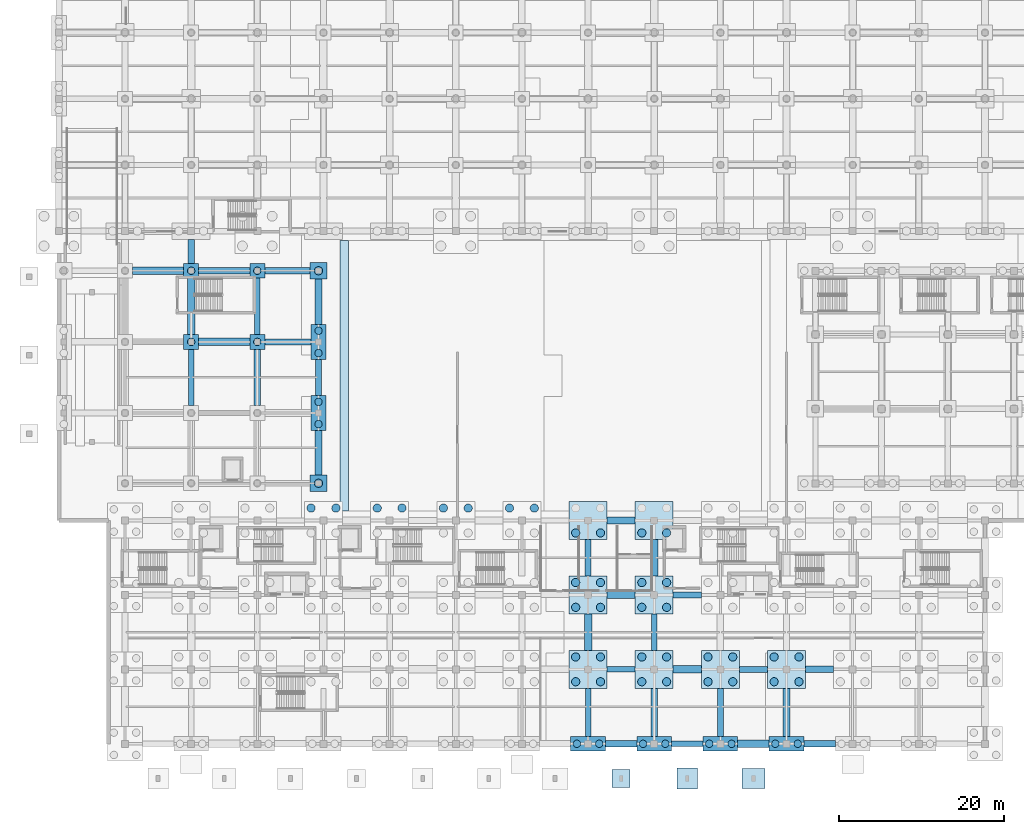
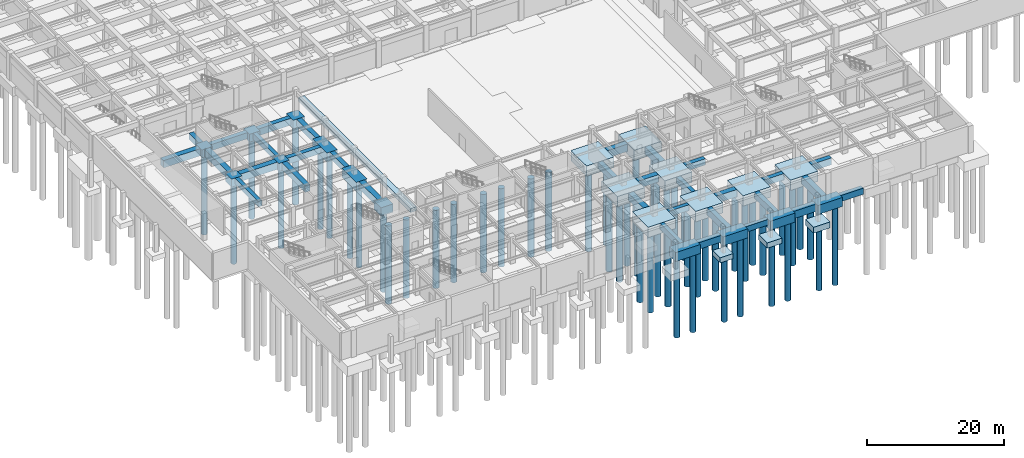
# One storey, part 3 of 48: 56 footings, 54 piles.
"""IFC4 building model written with IfcOpenShell, lengths in metres."""

from ifc_helpers import new_model, si_unit, direction, frame, origin, origin_2d, place, context, subcontext, project, spatial, polyline, rectangle, circle, outline, extrude, material, layer, layer_set, material_profile, profile_set, type_object, element, save


model = new_model("IFC4")

# Units and contexts
model_context = context("Model", 3, precision=1e-05, world=origin(), true_north=direction((0.0, 1.0)))
body_context = subcontext(model_context, "Body", "Model", "MODEL_VIEW")
ifc_project = project(units=[si_unit("LENGTHUNIT", "METRE"), si_unit("AREAUNIT", "SQUARE_METRE"), si_unit("VOLUMEUNIT", "CUBIC_METRE"), si_unit("PLANEANGLEUNIT", "RADIAN"), si_unit("MASSUNIT", "GRAM", prefix="KILO")], contexts=[model_context])

# Site, building, storey
site_placement = place(None, origin())
site = spatial("IfcSite", under=ifc_project, at=site_placement, CompositionType="ELEMENT")
building_placement = place(site_placement, origin())
building = spatial("IfcBuilding", under=site, at=building_placement, Name="Tlacozan Convention Centre", CompositionType="ELEMENT")
storey_placement = place(building_placement, frame((0.0, 0.0, -4.800048828125)))
storey = spatial("IfcBuildingStorey", under=building, at=storey_placement, Name="B01", CompositionType="ELEMENT", Elevation=-4.800048828125)

# Footings
ifc_material = material(Name="Concrete C35/45", Category="concrete")
ifc_layer_1 = layer(ifc_material, 0.699951171875)
ifc_layer_set_1 = layer_set([ifc_layer_1], Name="Concrete C35/45")
footing_type_1 = type_object("IfcFootingType", Name="Courtyard Strip Footing 1000x700", PredefinedType="STRIP_FOOTING", material=ifc_layer_set_1)
footing_1_placement = place(storey_placement, frame((0.0, 0.0, -0.699951171875)))
element("IfcFooting", 1, at=footing_1_placement, inside=storey, type_object=footing_type_1, Name="Strip Footing SF-C3", PredefinedType="STRIP_FOOTING", context=body_context, shape_type="SweptSolid", body=[
    extrude(outline(polyline([(34.0, 28.14990234375), (35.0, 28.14990234375), (35.0, 60.85009765625), (34.0, 60.85009765625), (34.0, 28.14990234375)])), origin(), (0.0, 0.0, 1.0), 0.699951171875),
])
ifc_layer_2 = layer(ifc_material, 1.0)
ifc_layer_set_2 = layer_set([ifc_layer_2], Name="Concrete C35/45")
footing_type_2 = type_object("IfcFootingType", Name="Foundation Tie Beam 650x1000", PredefinedType="FOOTING_BEAM", material=ifc_layer_set_2)
footing_2_placement = place(storey_placement, frame((0.0, 0.0, -1.0)))
element("IfcFooting", 2, at=footing_2_placement, inside=storey, type_object=footing_type_2, Name="Foundation Tie Beam X-9", PredefinedType="FOOTING_BEAM", context=body_context, shape_type="SweptSolid", body=[
    extrude(outline(polyline([(74.10009765625, -0.324951171875), (77.89990234375, -0.324951171875), (77.89990234375, 0.324951171875), (74.10009765625, 0.324951171875), (74.10009765625, -0.324951171875)])), origin(), (0.0, 0.0, 1.0), 1.0),
])
footing_3_placement = place(storey_placement, frame((0.0, 0.0, -1.0)))
element("IfcFooting", 3, at=footing_3_placement, inside=storey, type_object=footing_type_2, Name="Foundation Tie Beam X-21", PredefinedType="FOOTING_BEAM", context=body_context, shape_type="SweptSolid", body=[
    extrude(outline(polyline([(66.300048828125, 8.675048828125), (69.699951171875, 8.675048828125), (69.699951171875, 9.324951171875), (66.300048828125, 9.324951171875), (66.300048828125, 8.675048828125)])), origin(), (0.0, 0.0, 1.0), 1.0),
])
footing_4_placement = place(storey_placement, frame((0.0, 0.0, -1.0)))
element("IfcFooting", 4, at=footing_4_placement, inside=storey, type_object=footing_type_2, Name="Foundation Tie Beam Y-345", PredefinedType="FOOTING_BEAM", context=body_context, shape_type="SweptSolid", body=[
    extrude(outline(polyline([(15.675048828125, 40.89990234375), (16.324951171875, 40.89990234375), (16.324951171875, 47.699951171875), (15.675048828125, 47.699951171875), (15.675048828125, 40.89990234375)])), origin(), (0.0, 0.0, 1.0), 1.0),
])
footing_5_placement = place(storey_placement, frame((0.0, 0.0, -1.0)))
element("IfcFooting", 5, at=footing_5_placement, inside=storey, type_object=footing_type_2, Name="Foundation Tie Beam Y-361", PredefinedType="FOOTING_BEAM", context=body_context, shape_type="SweptSolid", body=[
    extrude(outline(polyline([(23.675048828125, 49.5), (24.324951171875, 49.5), (24.324951171875, 56.300048828125), (23.675048828125, 56.300048828125), (23.675048828125, 49.5)])), origin(), (0.0, 0.0, 1.0), 1.0),
])
footing_6_placement = place(storey_placement, frame((0.0, 0.0, -1.0)))
element("IfcFooting", 6, at=footing_6_placement, inside=storey, type_object=footing_type_2, Name="Foundation Tie Beam Y-417", PredefinedType="FOOTING_BEAM", context=body_context, shape_type="SweptSolid", body=[
    extrude(outline(polyline([(63.675048828125, 0.89990234375), (64.324951171875, 0.89990234375), (64.324951171875, 6.699951171875), (63.675048828125, 6.699951171875), (63.675048828125, 0.89990234375)])), origin(), (0.0, 0.0, 1.0), 1.0),
])
footing_7_placement = place(storey_placement, frame((0.0, 0.0, -1.0)))
element("IfcFooting", 7, at=footing_7_placement, inside=storey, type_object=footing_type_2, Name="Foundation Tie Beam Y-429", PredefinedType="FOOTING_BEAM", context=body_context, shape_type="SweptSolid", body=[
    extrude(outline(polyline([(71.675048828125, 11.300048828125), (72.324951171875, 11.300048828125), (72.324951171875, 15.699951171875), (71.675048828125, 15.699951171875), (71.675048828125, 11.300048828125)])), origin(), (0.0, 0.0, 1.0), 1.0),
])
ifc_layer_3 = layer(ifc_material, 1.10009765625)
ifc_layer_set_3 = layer_set([ifc_layer_3], Name="Concrete C35/45")
footing_type_3 = type_object("IfcFootingType", Name="Foundation Tie Beam 750x1100", PredefinedType="FOOTING_BEAM", material=ifc_layer_set_3)
footing_8_placement = place(storey_placement, frame((0.0, 0.0, -1.099853515625)))
element("IfcFooting", 8, at=footing_8_placement, inside=storey, type_object=footing_type_3, Name="Foundation Tie Beam X-11", PredefinedType="FOOTING_BEAM", context=body_context, shape_type="SweptSolid", body=[
    extrude(outline(polyline([(90.10009765625, -0.375), (93.89990234375, -0.375), (93.89990234375, 0.375), (90.10009765625, 0.375), (90.10009765625, -0.375)])), origin(), (0.0, 0.0, 1.0), 1.099853515625),
])
footing_9_placement = place(storey_placement, frame((0.0, 0.0, -1.099853515625)))
element("IfcFooting", 9, at=footing_9_placement, inside=storey, type_object=footing_type_3, Name="Foundation Tie Beam X-23", PredefinedType="FOOTING_BEAM", context=body_context, shape_type="SweptSolid", body=[
    extrude(outline(polyline([(82.300048828125, 8.625), (85.699951171875, 8.625), (85.699951171875, 9.375), (82.300048828125, 9.375), (82.300048828125, 8.625)])), origin(), (0.0, 0.0, 1.0), 1.099853515625),
])
footing_10_placement = place(storey_placement, frame((0.0, 0.0, -1.099853515625)))
element("IfcFooting", 10, at=footing_10_placement, inside=storey, type_object=footing_type_3, Name="Foundation Tie Beam X-35", PredefinedType="FOOTING_BEAM", context=body_context, shape_type="SweptSolid", body=[
    extrude(outline(polyline([(74.300048828125, 17.625), (77.699951171875, 17.625), (77.699951171875, 18.375), (74.300048828125, 18.375), (74.300048828125, 17.625)])), origin(), (0.0, 0.0, 1.0), 1.099853515625),
])
footing_11_placement = place(storey_placement, frame((0.0, 0.0, -1.099853515625)))
element("IfcFooting", 11, at=footing_11_placement, inside=storey, type_object=footing_type_3, Name="Foundation Tie Beam X-103", PredefinedType="FOOTING_BEAM", context=body_context, shape_type="SweptSolid", body=[
    extrude(outline(polyline([(24.89990234375, 48.22509765625), (30.5, 48.22509765625), (30.5, 48.97509765625), (24.89990234375, 48.97509765625), (24.89990234375, 48.22509765625)])), origin(), (0.0, 0.0, 1.0), 1.099853515625),
])
footing_12_placement = place(storey_placement, frame((0.0, 0.0, -1.099853515625)))
element("IfcFooting", 12, at=footing_12_placement, inside=storey, type_object=footing_type_3, Name="Foundation Tie Beam X-119", PredefinedType="FOOTING_BEAM", context=body_context, shape_type="SweptSolid", body=[
    extrude(outline(polyline([(16.89990234375, 56.824951171875), (23.10009765625, 56.824951171875), (23.10009765625, 57.574951171875), (16.89990234375, 57.574951171875), (16.89990234375, 56.824951171875)])), origin(), (0.0, 0.0, 1.0), 1.099853515625),
])
footing_13_placement = place(storey_placement, frame((0.0, 0.0, -1.099853515625)))
element("IfcFooting", 13, at=footing_13_placement, inside=storey, type_object=footing_type_3, Name="Foundation Tie Beam Y-347", PredefinedType="FOOTING_BEAM", context=body_context, shape_type="SweptSolid", body=[
    extrude(outline(polyline([(15.625, 58.10009765625), (16.375, 58.10009765625), (16.375, 61.0), (15.625, 61.0), (15.625, 58.10009765625)])), origin(), (0.0, 0.0, 1.0), 1.099853515625),
])
footing_14_placement = place(storey_placement, frame((0.0, 0.0, -1.099853515625)))
element("IfcFooting", 14, at=footing_14_placement, inside=storey, type_object=footing_type_3, Name="Foundation Tie Beam Y-371", PredefinedType="FOOTING_BEAM", context=body_context, shape_type="SweptSolid", body=[
    extrude(outline(polyline([(31.02490234375, 42.10009765625), (31.77490234375, 42.10009765625), (31.77490234375, 46.5), (31.02490234375, 46.5), (31.02490234375, 42.10009765625)])), origin(), (0.0, 0.0, 1.0), 1.099853515625),
])
footing_15_placement = place(storey_placement, frame((0.0, 0.0, -1.099853515625)))
element("IfcFooting", 15, at=footing_15_placement, inside=storey, type_object=footing_type_3, Name="Foundation Tie Beam Y-419", PredefinedType="FOOTING_BEAM", context=body_context, shape_type="SweptSolid", body=[
    extrude(outline(polyline([(63.625, 20.300048828125), (64.375, 20.300048828125), (64.375, 24.699951171875), (63.625, 24.699951171875), (63.625, 20.300048828125)])), origin(), (0.0, 0.0, 1.0), 1.099853515625),
])
footing_16_placement = place(storey_placement, frame((0.0, 0.0, -1.099853515625)))
element("IfcFooting", 16, at=footing_16_placement, inside=storey, type_object=footing_type_3, Name="Foundation Tie Beam Y-439", PredefinedType="FOOTING_BEAM", context=body_context, shape_type="SweptSolid", body=[
    extrude(outline(polyline([(79.625, 0.89990234375), (80.375, 0.89990234375), (80.375, 6.699951171875), (79.625, 6.699951171875), (79.625, 0.89990234375)])), origin(), (0.0, 0.0, 1.0), 1.099853515625),
])
ifc_layer_4 = layer(ifc_material, 1.199951171875)
ifc_layer_set_4 = layer_set([ifc_layer_4], Name="Concrete C35/45")
footing_type_4 = type_object("IfcFootingType", Name="Foundation Tie Beam 800x1200", PredefinedType="FOOTING_BEAM", material=ifc_layer_set_4)
footing_17_placement = place(storey_placement, frame((0.0, 0.0, -1.199951171875)))
element("IfcFooting", 17, at=footing_17_placement, inside=storey, type_object=footing_type_4, Name="Foundation Tie Beam X-8", PredefinedType="FOOTING_BEAM", context=body_context, shape_type="SweptSolid", body=[
    extrude(outline(polyline([(66.10009765625, -0.39990234375), (69.89990234375, -0.39990234375), (69.89990234375, 0.39990234375), (66.10009765625, 0.39990234375), (66.10009765625, -0.39990234375)])), origin(), (0.0, 0.0, 1.0), 1.199951171875),
])
footing_18_placement = place(storey_placement, frame((0.0, 0.0, -1.199951171875)))
element("IfcFooting", 18, at=footing_18_placement, inside=storey, type_object=footing_type_4, Name="Foundation Tie Beam X-24", PredefinedType="FOOTING_BEAM", context=body_context, shape_type="SweptSolid", body=[
    extrude(outline(polyline([(90.300048828125, 8.60009765625), (93.699951171875, 8.60009765625), (93.699951171875, 9.39990234375), (90.300048828125, 9.39990234375), (90.300048828125, 8.60009765625)])), origin(), (0.0, 0.0, 1.0), 1.199951171875),
])
footing_19_placement = place(storey_placement, frame((0.0, 0.0, -1.199951171875)))
element("IfcFooting", 19, at=footing_19_placement, inside=storey, type_object=footing_type_4, Name="Foundation Tie Beam X-120", PredefinedType="FOOTING_BEAM", context=body_context, shape_type="SweptSolid", body=[
    extrude(outline(polyline([(24.89990234375, 56.800048828125), (30.39990234375, 56.800048828125), (30.39990234375, 57.60009765625), (24.89990234375, 57.60009765625), (24.89990234375, 56.800048828125)])), origin(), (0.0, 0.0, 1.0), 1.199951171875),
])
footing_20_placement = place(storey_placement, frame((0.0, 0.0, -1.199951171875)))
element("IfcFooting", 20, at=footing_20_placement, inside=storey, type_object=footing_type_4, Name="Foundation Tie Beam Y-360", PredefinedType="FOOTING_BEAM", context=body_context, shape_type="SweptSolid", body=[
    extrude(outline(polyline([(23.60009765625, 40.89990234375), (24.39990234375, 40.89990234375), (24.39990234375, 47.699951171875), (23.60009765625, 47.699951171875), (23.60009765625, 40.89990234375)])), origin(), (0.0, 0.0, 1.0), 1.199951171875),
])
footing_21_placement = place(storey_placement, frame((0.0, 0.0, -1.199951171875)))
element("IfcFooting", 21, at=footing_21_placement, inside=storey, type_object=footing_type_4, Name="Foundation Tie Beam Y-372", PredefinedType="FOOTING_BEAM", context=body_context, shape_type="SweptSolid", body=[
    extrude(outline(polyline([(31.0, 50.699951171875), (31.800048828125, 50.699951171875), (31.800048828125, 56.199951171875), (31.0, 56.199951171875), (31.0, 50.699951171875)])), origin(), (0.0, 0.0, 1.0), 1.199951171875),
])
footing_22_placement = place(storey_placement, frame((0.0, 0.0, -1.199951171875)))
element("IfcFooting", 22, at=footing_22_placement, inside=storey, type_object=footing_type_4, Name="Foundation Tie Beam Y-428", PredefinedType="FOOTING_BEAM", context=body_context, shape_type="SweptSolid", body=[
    extrude(outline(polyline([(71.60009765625, 0.89990234375), (72.39990234375, 0.89990234375), (72.39990234375, 6.699951171875), (71.60009765625, 6.699951171875), (71.60009765625, 0.89990234375)])), origin(), (0.0, 0.0, 1.0), 1.199951171875),
])
ifc_layer_5 = layer(ifc_material, 1.300048828125)
ifc_layer_set_5 = layer_set([ifc_layer_5], Name="Concrete C35/45")
footing_type_5 = type_object("IfcFootingType", Name="Foundation Tie Beam 900x1300", PredefinedType="FOOTING_BEAM", material=ifc_layer_set_5)
footing_23_placement = place(storey_placement, frame((0.0, 0.0, -1.300048828125)))
element("IfcFooting", 23, at=footing_23_placement, inside=storey, type_object=footing_type_5, Name="Foundation Tie Beam X-10", PredefinedType="FOOTING_BEAM", context=body_context, shape_type="SweptSolid", body=[
    extrude(outline(polyline([(82.10009765625, -0.449951171875), (85.89990234375, -0.449951171875), (85.89990234375, 0.449951171875), (82.10009765625, 0.449951171875), (82.10009765625, -0.449951171875)])), origin(), (0.0, 0.0, 1.0), 1.300048828125),
])
footing_24_placement = place(storey_placement, frame((0.0, 0.0, -1.300048828125)))
element("IfcFooting", 24, at=footing_24_placement, inside=storey, type_object=footing_type_5, Name="Foundation Tie Beam X-22", PredefinedType="FOOTING_BEAM", context=body_context, shape_type="SweptSolid", body=[
    extrude(outline(polyline([(74.300048828125, 8.550048828125), (77.699951171875, 8.550048828125), (77.699951171875, 9.449951171875), (74.300048828125, 9.449951171875), (74.300048828125, 8.550048828125)])), origin(), (0.0, 0.0, 1.0), 1.300048828125),
])
footing_25_placement = place(storey_placement, frame((0.0, 0.0, -1.300048828125)))
element("IfcFooting", 25, at=footing_25_placement, inside=storey, type_object=footing_type_5, Name="Foundation Tie Beam X-34", PredefinedType="FOOTING_BEAM", context=body_context, shape_type="SweptSolid", body=[
    extrude(outline(polyline([(66.300048828125, 17.550048828125), (69.699951171875, 17.550048828125), (69.699951171875, 18.449951171875), (66.300048828125, 18.449951171875), (66.300048828125, 17.550048828125)])), origin(), (0.0, 0.0, 1.0), 1.300048828125),
])
footing_26_placement = place(storey_placement, frame((0.0, 0.0, -1.300048828125)))
element("IfcFooting", 26, at=footing_26_placement, inside=storey, type_object=footing_type_5, Name="Foundation Tie Beam X-54", PredefinedType="FOOTING_BEAM", context=body_context, shape_type="SweptSolid", body=[
    extrude(outline(polyline([(66.300048828125, 26.550048828125), (69.699951171875, 26.550048828125), (69.699951171875, 27.449951171875), (66.300048828125, 27.449951171875), (66.300048828125, 26.550048828125)])), origin(), (0.0, 0.0, 1.0), 1.300048828125),
])
footing_27_placement = place(storey_placement, frame((0.0, 0.0, -1.300048828125)))
element("IfcFooting", 27, at=footing_27_placement, inside=storey, type_object=footing_type_5, Name="Foundation Tie Beam X-102", PredefinedType="FOOTING_BEAM", context=body_context, shape_type="SweptSolid", body=[
    extrude(outline(polyline([(16.89990234375, 48.14990234375), (23.10009765625, 48.14990234375), (23.10009765625, 49.050048828125), (16.89990234375, 49.050048828125), (16.89990234375, 48.14990234375)])), origin(), (0.0, 0.0, 1.0), 1.300048828125),
])
footing_28_placement = place(storey_placement, frame((0.0, 0.0, -1.300048828125)))
element("IfcFooting", 28, at=footing_28_placement, inside=storey, type_object=footing_type_5, Name="Foundation Tie Beam X-118", PredefinedType="FOOTING_BEAM", context=body_context, shape_type="SweptSolid", body=[
    extrude(outline(polyline([(8.89990234375, 56.75), (15.10009765625, 56.75), (15.10009765625, 57.64990234375), (8.89990234375, 57.64990234375), (8.89990234375, 56.75)])), origin(), (0.0, 0.0, 1.0), 1.300048828125),
])
footing_29_placement = place(storey_placement, frame((0.0, 0.0, -1.300048828125)))
element("IfcFooting", 29, at=footing_29_placement, inside=storey, type_object=footing_type_5, Name="Foundation Tie Beam Y-346", PredefinedType="FOOTING_BEAM", context=body_context, shape_type="SweptSolid", body=[
    extrude(outline(polyline([(15.550048828125, 49.5), (16.449951171875, 49.5), (16.449951171875, 56.300048828125), (15.550048828125, 56.300048828125), (15.550048828125, 49.5)])), origin(), (0.0, 0.0, 1.0), 1.300048828125),
])
footing_30_placement = place(storey_placement, frame((0.0, 0.0, -1.300048828125)))
element("IfcFooting", 30, at=footing_30_placement, inside=storey, type_object=footing_type_5, Name="Foundation Tie Beam Y-370", PredefinedType="FOOTING_BEAM", context=body_context, shape_type="SweptSolid", body=[
    extrude(outline(polyline([(30.949951171875, 32.5), (31.85009765625, 32.5), (31.85009765625, 37.89990234375), (30.949951171875, 37.89990234375), (30.949951171875, 32.5)])), origin(), (0.0, 0.0, 1.0), 1.300048828125),
])
footing_31_placement = place(storey_placement, frame((0.0, 0.0, -1.300048828125)))
element("IfcFooting", 31, at=footing_31_placement, inside=storey, type_object=footing_type_5, Name="Foundation Tie Beam Y-418", PredefinedType="FOOTING_BEAM", context=body_context, shape_type="SweptSolid", body=[
    extrude(outline(polyline([(63.550048828125, 11.300048828125), (64.449951171875, 11.300048828125), (64.449951171875, 15.699951171875), (63.550048828125, 15.699951171875), (63.550048828125, 11.300048828125)])), origin(), (0.0, 0.0, 1.0), 1.300048828125),
])
footing_32_placement = place(storey_placement, frame((0.0, 0.0, -1.300048828125)))
element("IfcFooting", 32, at=footing_32_placement, inside=storey, type_object=footing_type_5, Name="Foundation Tie Beam Y-430", PredefinedType="FOOTING_BEAM", context=body_context, shape_type="SweptSolid", body=[
    extrude(outline(polyline([(71.550048828125, 20.300048828125), (72.449951171875, 20.300048828125), (72.449951171875, 24.699951171875), (71.550048828125, 24.699951171875), (71.550048828125, 20.300048828125)])), origin(), (0.0, 0.0, 1.0), 1.300048828125),
])
footing_33_placement = place(storey_placement, frame((0.0, 0.0, -1.300048828125)))
element("IfcFooting", 33, at=footing_33_placement, inside=storey, type_object=footing_type_5, Name="Foundation Tie Beam Y-450", PredefinedType="FOOTING_BEAM", context=body_context, shape_type="SweptSolid", body=[
    extrude(outline(polyline([(87.550048828125, 0.89990234375), (88.449951171875, 0.89990234375), (88.449951171875, 6.699951171875), (87.550048828125, 6.699951171875), (87.550048828125, 0.89990234375)])), origin(), (0.0, 0.0, 1.0), 1.300048828125),
])
ifc_layer_6 = layer(ifc_material, 0.89990234375)
ifc_layer_set_6 = layer_set([ifc_layer_6], Name="Concrete C35/45")
footing_type_6 = type_object("IfcFootingType", Name="Pad Footing 2200x2200x900", PredefinedType="PAD_FOOTING", material=ifc_layer_set_6)
footing_34_placement = place(storey_placement, frame((68.0, -4.199951171875, -0.89990234375), z_axis=(0.0, 0.0, 1.0), x_axis=(1.0, 0.0, 0.0)))
element("IfcFooting", 34, at=footing_34_placement, inside=storey, type_object=footing_type_6, Name="Promenade Pier Pad Footing 8", PredefinedType="PAD_FOOTING", context=body_context, shape_type="SweptSolid", body=[
    extrude(rectangle(XDim=2.199951171875, YDim=2.199951171875, at=origin_2d()), origin(), (0.0, 0.0, 1.0), 0.89990234375),
])
ifc_layer_7 = layer(ifc_material, 0.949951171875)
ifc_layer_set_7 = layer_set([ifc_layer_7], Name="Concrete C35/45")
footing_type_7 = type_object("IfcFootingType", Name="Pad Footing 2500x2500x950", PredefinedType="PAD_FOOTING", material=ifc_layer_set_7)
footing_35_placement = place(storey_placement, frame((76.0, -4.199951171875, -0.94970703125), z_axis=(0.0, 0.0, 1.0), x_axis=(1.0, 0.0, 0.0)))
element("IfcFooting", 35, at=footing_35_placement, inside=storey, type_object=footing_type_7, Name="Promenade Pier Pad Footing 9", PredefinedType="PAD_FOOTING", context=body_context, shape_type="SweptSolid", body=[
    extrude(rectangle(XDim=2.5, YDim=2.5, at=origin_2d()), origin(), (0.0, 0.0, 1.0), 0.949951171875),
])
ifc_layer_8 = layer(ifc_material, 1.050048828125)
ifc_layer_set_8 = layer_set([ifc_layer_8], Name="Concrete C35/45")
footing_type_8 = type_object("IfcFootingType", Name="Pad Footing 2800x2400x1050", PredefinedType="PAD_FOOTING", material=ifc_layer_set_8)
footing_36_placement = place(storey_placement, frame((84.0, -4.199951171875, -1.0498046875), z_axis=(0.0, 0.0, 1.0), x_axis=(1.0, 0.0, 0.0)))
element("IfcFooting", 36, at=footing_36_placement, inside=storey, type_object=footing_type_8, Name="Promenade Pier Pad Footing 10", PredefinedType="PAD_FOOTING", context=body_context, shape_type="SweptSolid", body=[
    extrude(rectangle(XDim=2.800048828125, YDim=2.39990234375, at=origin_2d()), origin(), (0.0, 0.0, 1.0), 1.050048828125),
])
ifc_layer_9 = layer(ifc_material, 1.39990234375)
ifc_layer_set_9 = layer_set([ifc_layer_9], Name="Concrete C35/45")
footing_type_9 = type_object("IfcFootingType", Name="Pile Cap 1P 1800x1800x1400", PredefinedType="PILE_CAP", material=ifc_layer_set_9)
for number, where, z_axis, x_axis, name in (
    (37, (16.0, 48.60009765625, -1.39990234375), (0.0, 0.0, 1.0), (1.0, 0.0, 0.0), "Pile Cap PC-01 (36)"),
    (38, (16.0, 57.199951171875, -1.39990234375), (0.0, 0.0, 1.0), (1.0, 0.0, 0.0), "Pile Cap PC-01 (37)"),
    (39, (24.0, 48.60009765625, -1.39990234375), (0.0, 0.0, 1.0), (1.0, 0.0, 0.0), "Pile Cap PC-01 (53)"),
    (40, (24.0, 57.199951171875, -1.39990234375), (0.0, 0.0, 1.0), (1.0, 0.0, 0.0), "Pile Cap PC-01 (54)"),
):
    element("IfcFooting", number, at=place(storey_placement, frame(where, z_axis=z_axis, x_axis=x_axis)), inside=storey, type_object=footing_type_9, Name=name, PredefinedType="PILE_CAP", context=body_context, shape_type="SweptSolid", body=[
        extrude(rectangle(XDim=1.800048828125, YDim=1.800048828125, at=origin_2d()), origin(), (0.0, 0.0, 1.0), 1.39990234375),
    ])
ifc_layer_10 = layer(ifc_material, 1.5)
ifc_layer_set_10 = layer_set([ifc_layer_10], Name="Concrete C35/45")
footing_type_10 = type_object("IfcFootingType", Name="Pile Cap 1P 2000x2000x1500", PredefinedType="PILE_CAP", material=ifc_layer_set_10)
for number, where, z_axis, x_axis, name in (
    (41, (31.39990234375, 31.5, -1.5), (0.0, 0.0, 1.0), (1.0, 0.0, 0.0), "Pile Cap PC-02 (64)"),
    (42, (31.39990234375, 57.199951171875, -1.5), (0.0, 0.0, 1.0), (1.0, 0.0, 0.0), "Pile Cap PC-02 (67)"),
):
    element("IfcFooting", number, at=place(storey_placement, frame(where, z_axis=z_axis, x_axis=x_axis)), inside=storey, type_object=footing_type_10, Name=name, PredefinedType="PILE_CAP", context=body_context, shape_type="SweptSolid", body=[
        extrude(rectangle(XDim=2.0, YDim=2.0, at=origin_2d()), origin(), (0.0, 0.0, 1.0), 1.5),
    ])
ifc_layer_11 = layer(ifc_material, 1.60009765625)
ifc_layer_set_11 = layer_set([ifc_layer_11], Name="Concrete C35/45")
footing_type_11 = type_object("IfcFootingType", Name="Pile Cap 2P 1800x4200x1600", PredefinedType="PILE_CAP", material=ifc_layer_set_11)
for number, where, z_axis, x_axis, name in (
    (43, (31.39990234375, 40.0, -1.60009765625), (0.0, 0.0, 1.0), (1.0, 0.0, 0.0), "Pile Cap PC-04 (65)"),
    (44, (31.39990234375, 48.60009765625, -1.60009765625), (0.0, 0.0, 1.0), (1.0, 0.0, 0.0), "Pile Cap PC-04 (66)"),
):
    element("IfcFooting", number, at=place(storey_placement, frame(where, z_axis=z_axis, x_axis=x_axis)), inside=storey, type_object=footing_type_11, Name=name, PredefinedType="PILE_CAP", context=body_context, shape_type="SweptSolid", body=[
        extrude(rectangle(XDim=1.800048828125, YDim=4.199951171875, at=origin_2d()), origin(), (0.0, 0.0, 1.0), 1.60009765625),
    ])
ifc_layer_12 = layer(ifc_material, 1.60009765625)
ifc_layer_set_12 = layer_set([ifc_layer_12], Name="Concrete C35/45")
footing_type_12 = type_object("IfcFootingType", Name="Pile Cap 2P 4200x1800x1600", PredefinedType="PILE_CAP", material=ifc_layer_set_12)
for number, where, z_axis, x_axis, name in (
    (45, (64.0, 0.0, -1.60009765625), (0.0, 0.0, 1.0), (1.0, 0.0, 0.0), "Pile Cap PC-03 (120)"),
    (46, (72.0, 0.0, -1.60009765625), (0.0, 0.0, 1.0), (1.0, 0.0, 0.0), "Pile Cap PC-03 (133)"),
    (47, (80.0, 0.0, -1.60009765625), (0.0, 0.0, 1.0), (1.0, 0.0, 0.0), "Pile Cap PC-03 (146)"),
    (48, (88.0, 0.0, -1.60009765625), (0.0, 0.0, 1.0), (1.0, 0.0, 0.0), "Pile Cap PC-03 (159)"),
):
    element("IfcFooting", number, at=place(storey_placement, frame(where, z_axis=z_axis, x_axis=x_axis)), inside=storey, type_object=footing_type_12, Name=name, PredefinedType="PILE_CAP", context=body_context, shape_type="SweptSolid", body=[
        extrude(rectangle(XDim=4.199951171875, YDim=1.800048828125, at=origin_2d()), origin(), (0.0, 0.0, 1.0), 1.60009765625),
    ])
ifc_layer_13 = layer(ifc_material, 1.85009765625)
ifc_layer_set_13 = layer_set([ifc_layer_13], Name="Concrete C35/45")
footing_type_13 = type_object("IfcFootingType", Name="Pile Cap 4P 4600x4600x1850", PredefinedType="PILE_CAP", material=ifc_layer_set_13)
for number, where, z_axis, x_axis, name in (
    (49, (64.0, 9.0, -1.85009765625), (0.0, 0.0, 1.0), (1.0, 0.0, 0.0), "Pile Cap PC-07 (121)"),
    (50, (64.0, 18.0, -1.85009765625), (0.0, 0.0, 1.0), (1.0, 0.0, 0.0), "Pile Cap PC-07 (122)"),
    (51, (64.0, 27.0, -1.85009765625), (0.0, 0.0, 1.0), (1.0, 0.0, 0.0), "Pile Cap PC-07 (123)"),
    (52, (72.0, 9.0, -1.85009765625), (0.0, 0.0, 1.0), (1.0, 0.0, 0.0), "Pile Cap PC-07 (134)"),
    (53, (72.0, 18.0, -1.85009765625), (0.0, 0.0, 1.0), (1.0, 0.0, 0.0), "Pile Cap PC-07 (135)"),
    (54, (72.0, 27.0, -1.85009765625), (0.0, 0.0, 1.0), (1.0, 0.0, 0.0), "Pile Cap PC-07 (136)"),
    (55, (80.0, 9.0, -1.85009765625), (0.0, 0.0, 1.0), (1.0, 0.0, 0.0), "Pile Cap PC-07 (147)"),
    (56, (88.0, 9.0, -1.85009765625), (0.0, 0.0, 1.0), (1.0, 0.0, 0.0), "Pile Cap PC-07 (160)"),
):
    element("IfcFooting", number, at=place(storey_placement, frame(where, z_axis=z_axis, x_axis=x_axis)), inside=storey, type_object=footing_type_13, Name=name, PredefinedType="PILE_CAP", context=body_context, shape_type="SweptSolid", body=[
        extrude(rectangle(XDim=4.60009765625, YDim=4.60009765625, at=origin_2d()), origin(), (0.0, 0.0, 1.0), 1.85009765625),
    ])

# Piles
ifc_material_profile_1 = material_profile(ifc_material, circle(Radius=0.5, at=origin_2d()), Name="PILE D1000")
ifc_profile_set_1 = profile_set([ifc_material_profile_1], Name="Concrete C35/45")
pile_type_1 = type_object("IfcPileType", Name="Pile D1000 Bored", PredefinedType="BORED", material=ifc_profile_set_1)
for number, where, z_axis, x_axis, name in (
    (57, (31.39990234375, 31.5, -1.3798828125), (0.0, 0.0, -1.0), (1.0, 0.0, 0.0), "Bored Pile 121"),
    (58, (31.39990234375, 57.199951171875, -1.3798828125), (0.0, 0.0, -1.0), (1.0, 0.0, 0.0), "Bored Pile 126"),
):
    element("IfcPile", number, at=place(storey_placement, frame(where, z_axis=z_axis, x_axis=x_axis)), inside=storey, type_object=pile_type_1, Name=name, PredefinedType="BORED", context=body_context, shape_type="SweptSolid", body=[
        extrude(circle(Radius=0.5, at=origin_2d()), origin(), (0.0, 0.0, 1.0), 14.320068359375),
    ])
for number, where, z_axis, x_axis, name in (
    (59, (30.5, 28.5, -1.72998046875), (0.0, 0.0, -1.0), (1.0, 0.0, 0.0), "Bored Pile 139"),
    (60, (33.5, 28.5, -1.72998046875), (0.0, 0.0, -1.0), (1.0, 0.0, 0.0), "Bored Pile 140"),
    (61, (38.5, 28.5, -1.72998046875), (0.0, 0.0, -1.0), (1.0, 0.0, 0.0), "Bored Pile 164"),
    (62, (41.5, 28.5, -1.72998046875), (0.0, 0.0, -1.0), (1.0, 0.0, 0.0), "Bored Pile 165"),
    (63, (46.5, 28.5, -1.72998046875), (0.0, 0.0, -1.0), (1.0, 0.0, 0.0), "Bored Pile 189"),
    (64, (49.5, 28.5, -1.72998046875), (0.0, 0.0, -1.0), (1.0, 0.0, 0.0), "Bored Pile 190"),
    (65, (54.5, 28.5, -1.72998046875), (0.0, 0.0, -1.0), (1.0, 0.0, 0.0), "Bored Pile 218"),
    (66, (57.5, 28.5, -1.72998046875), (0.0, 0.0, -1.0), (1.0, 0.0, 0.0), "Bored Pile 219"),
    (67, (62.5, 7.5, -1.72998046875), (0.0, 0.0, -1.0), (1.0, 0.0, 0.0), "Bored Pile 233"),
    (68, (65.5, 7.5, -1.72998046875), (0.0, 0.0, -1.0), (1.0, 0.0, 0.0), "Bored Pile 234"),
    (69, (62.5, 10.5, -1.72998046875), (0.0, 0.0, -1.0), (1.0, 0.0, 0.0), "Bored Pile 235"),
    (70, (65.5, 10.5, -1.72998046875), (0.0, 0.0, -1.0), (1.0, 0.0, 0.0), "Bored Pile 236"),
    (71, (62.5, 16.5, -1.72998046875), (0.0, 0.0, -1.0), (1.0, 0.0, 0.0), "Bored Pile 237"),
    (72, (65.5, 16.5, -1.72998046875), (0.0, 0.0, -1.0), (1.0, 0.0, 0.0), "Bored Pile 238"),
    (73, (62.5, 19.5, -1.72998046875), (0.0, 0.0, -1.0), (1.0, 0.0, 0.0), "Bored Pile 239"),
    (74, (65.5, 19.5, -1.72998046875), (0.0, 0.0, -1.0), (1.0, 0.0, 0.0), "Bored Pile 240"),
    (75, (62.5, 25.5, -1.72998046875), (0.0, 0.0, -1.0), (1.0, 0.0, 0.0), "Bored Pile 241"),
    (76, (65.5, 25.5, -1.72998046875), (0.0, 0.0, -1.0), (1.0, 0.0, 0.0), "Bored Pile 242"),
    (77, (70.5, 7.5, -1.72998046875), (0.0, 0.0, -1.0), (1.0, 0.0, 0.0), "Bored Pile 258"),
    (78, (73.5, 7.5, -1.72998046875), (0.0, 0.0, -1.0), (1.0, 0.0, 0.0), "Bored Pile 259"),
    (79, (70.5, 10.5, -1.72998046875), (0.0, 0.0, -1.0), (1.0, 0.0, 0.0), "Bored Pile 260"),
    (80, (73.5, 10.5, -1.72998046875), (0.0, 0.0, -1.0), (1.0, 0.0, 0.0), "Bored Pile 261"),
    (81, (70.5, 16.5, -1.72998046875), (0.0, 0.0, -1.0), (1.0, 0.0, 0.0), "Bored Pile 262"),
    (82, (73.5, 16.5, -1.72998046875), (0.0, 0.0, -1.0), (1.0, 0.0, 0.0), "Bored Pile 263"),
    (83, (70.5, 19.5, -1.72998046875), (0.0, 0.0, -1.0), (1.0, 0.0, 0.0), "Bored Pile 264"),
    (84, (73.5, 19.5, -1.72998046875), (0.0, 0.0, -1.0), (1.0, 0.0, 0.0), "Bored Pile 265"),
    (85, (70.5, 25.5, -1.72998046875), (0.0, 0.0, -1.0), (1.0, 0.0, 0.0), "Bored Pile 266"),
    (86, (73.5, 25.5, -1.72998046875), (0.0, 0.0, -1.0), (1.0, 0.0, 0.0), "Bored Pile 267"),
    (87, (78.5, 7.5, -1.72998046875), (0.0, 0.0, -1.0), (1.0, 0.0, 0.0), "Bored Pile 287"),
    (88, (81.5, 7.5, -1.72998046875), (0.0, 0.0, -1.0), (1.0, 0.0, 0.0), "Bored Pile 288"),
    (89, (78.5, 10.5, -1.72998046875), (0.0, 0.0, -1.0), (1.0, 0.0, 0.0), "Bored Pile 289"),
    (90, (81.5, 10.5, -1.72998046875), (0.0, 0.0, -1.0), (1.0, 0.0, 0.0), "Bored Pile 290"),
    (91, (86.5, 7.5, -1.72998046875), (0.0, 0.0, -1.0), (1.0, 0.0, 0.0), "Bored Pile 312"),
    (92, (89.5, 7.5, -1.72998046875), (0.0, 0.0, -1.0), (1.0, 0.0, 0.0), "Bored Pile 313"),
    (93, (86.5, 10.5, -1.72998046875), (0.0, 0.0, -1.0), (1.0, 0.0, 0.0), "Bored Pile 314"),
    (94, (89.5, 10.5, -1.72998046875), (0.0, 0.0, -1.0), (1.0, 0.0, 0.0), "Bored Pile 315"),
):
    element("IfcPile", number, at=place(storey_placement, frame(where, z_axis=z_axis, x_axis=x_axis)), inside=storey, type_object=pile_type_1, Name=name, PredefinedType="BORED", context=body_context, shape_type="SweptSolid", body=[
        extrude(circle(Radius=0.5, at=origin_2d()), origin(), (0.0, 0.0, 1.0), 13.969970703125),
    ])
ifc_material_profile_2 = material_profile(ifc_material, circle(Radius=0.449951171875, at=origin_2d()), Name="PILE D900")
ifc_profile_set_2 = profile_set([ifc_material_profile_2], Name="Concrete C35/45")
pile_type_2 = type_object("IfcPileType", Name="Pile D900 Bored", PredefinedType="BORED", material=ifc_profile_set_2)
for number, where, z_axis, x_axis, name in (
    (95, (16.0, 48.60009765625, -1.280029296875), (0.0, 0.0, -1.0), (1.0, 0.0, 0.0), "Bored Pile 75"),
    (96, (16.0, 57.199951171875, -1.280029296875), (0.0, 0.0, -1.0), (1.0, 0.0, 0.0), "Bored Pile 76"),
    (97, (24.0, 48.60009765625, -1.280029296875), (0.0, 0.0, -1.0), (1.0, 0.0, 0.0), "Bored Pile 104"),
    (98, (24.0, 57.199951171875, -1.280029296875), (0.0, 0.0, -1.0), (1.0, 0.0, 0.0), "Bored Pile 105"),
):
    element("IfcPile", number, at=place(storey_placement, frame(where, z_axis=z_axis, x_axis=x_axis)), inside=storey, type_object=pile_type_2, Name=name, PredefinedType="BORED", context=body_context, shape_type="SweptSolid", body=[
        extrude(circle(Radius=0.449951171875, at=origin_2d()), origin(), (0.0, 0.0, 1.0), 14.419921875),
    ])
for number, where, z_axis, x_axis, name in (
    (99, (31.39990234375, 38.64990234375, -1.47998046875), (0.0, 0.0, -1.0), (1.0, 0.0, 0.0), "Bored Pile 122"),
    (100, (31.39990234375, 41.35009765625, -1.47998046875), (0.0, 0.0, -1.0), (1.0, 0.0, 0.0), "Bored Pile 123"),
    (101, (31.39990234375, 47.25, -1.47998046875), (0.0, 0.0, -1.0), (1.0, 0.0, 0.0), "Bored Pile 124"),
    (102, (31.39990234375, 49.949951171875, -1.47998046875), (0.0, 0.0, -1.0), (1.0, 0.0, 0.0), "Bored Pile 125"),
    (103, (62.64990234375, 0.0, -1.47998046875), (0.0, 0.0, -1.0), (1.0, 0.0, 0.0), "Bored Pile 231"),
    (104, (65.35009765625, 0.0, -1.47998046875), (0.0, 0.0, -1.0), (1.0, 0.0, 0.0), "Bored Pile 232"),
    (105, (70.64990234375, 0.0, -1.47998046875), (0.0, 0.0, -1.0), (1.0, 0.0, 0.0), "Bored Pile 256"),
    (106, (73.35009765625, 0.0, -1.47998046875), (0.0, 0.0, -1.0), (1.0, 0.0, 0.0), "Bored Pile 257"),
    (107, (78.64990234375, 0.0, -1.47998046875), (0.0, 0.0, -1.0), (1.0, 0.0, 0.0), "Bored Pile 285"),
    (108, (81.35009765625, 0.0, -1.47998046875), (0.0, 0.0, -1.0), (1.0, 0.0, 0.0), "Bored Pile 286"),
    (109, (86.64990234375, 0.0, -1.47998046875), (0.0, 0.0, -1.0), (1.0, 0.0, 0.0), "Bored Pile 310"),
    (110, (89.35009765625, 0.0, -1.47998046875), (0.0, 0.0, -1.0), (1.0, 0.0, 0.0), "Bored Pile 311"),
):
    element("IfcPile", number, at=place(storey_placement, frame(where, z_axis=z_axis, x_axis=x_axis)), inside=storey, type_object=pile_type_2, Name=name, PredefinedType="BORED", context=body_context, shape_type="SweptSolid", body=[
        extrude(circle(Radius=0.449951171875, at=origin_2d()), origin(), (0.0, 0.0, 1.0), 14.219970703125),
    ])

save(model, "model.ifc")
